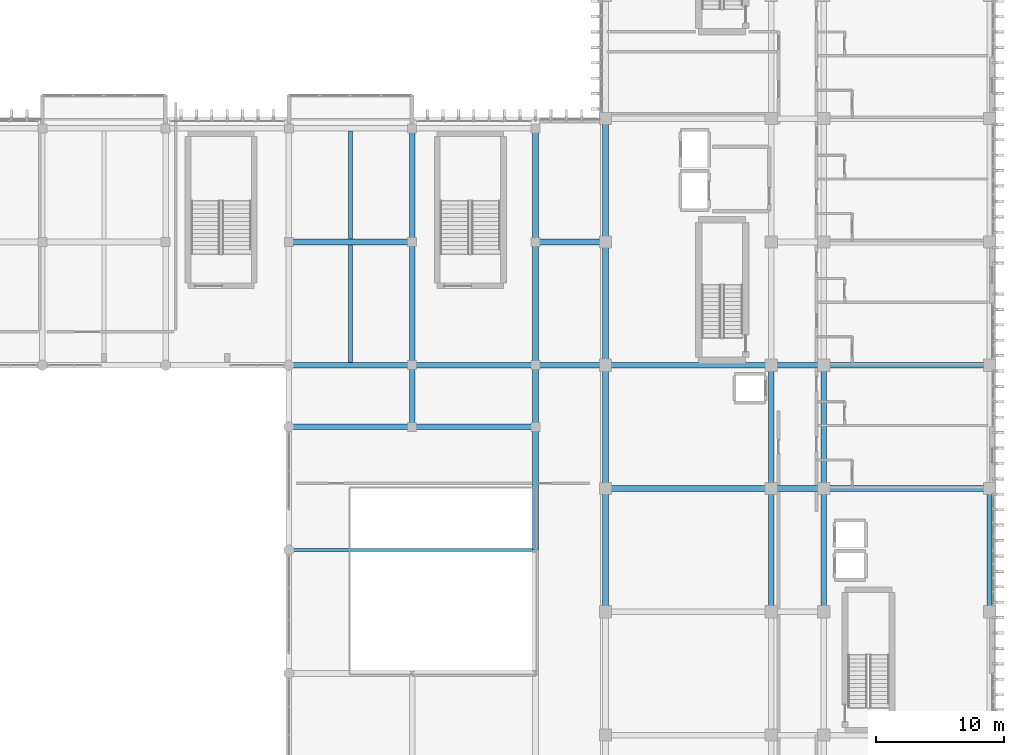
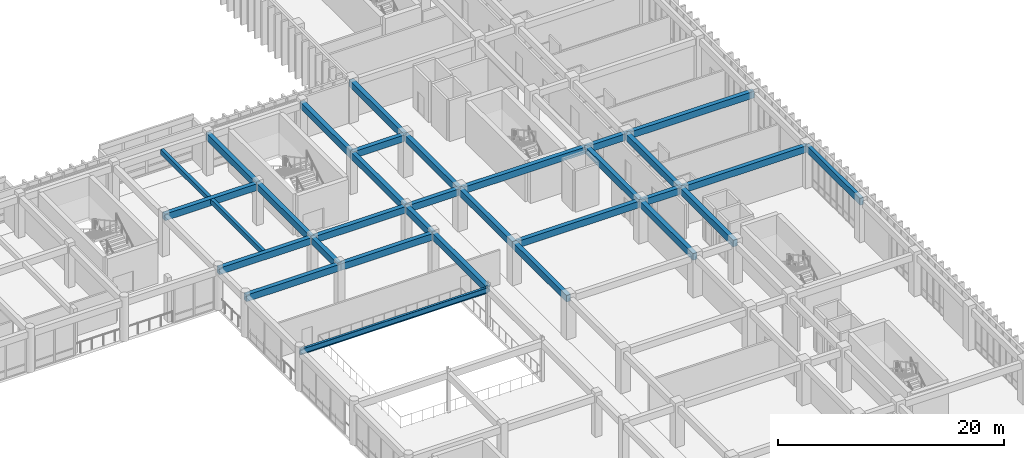
# One storey, part 67 of 133: 32 beams.
"""IFC4 building model written with IfcOpenShell, lengths in metres."""

from ifc_helpers import new_model, si_unit, direction, frame, origin, origin_2d, place, context, subcontext, project, spatial, rectangle, i_section, extrude, material, material_profile, profile_set, type_object, element, save


model = new_model("IFC4")

# Units and contexts
model_context = context("Model", 3, precision=1e-05, world=origin(), true_north=direction((0.0, 1.0)))
body_context = subcontext(model_context, "Body", "Model", "MODEL_VIEW")
ifc_project = project(units=[si_unit("LENGTHUNIT", "METRE"), si_unit("AREAUNIT", "SQUARE_METRE"), si_unit("VOLUMEUNIT", "CUBIC_METRE"), si_unit("PLANEANGLEUNIT", "RADIAN"), si_unit("MASSUNIT", "GRAM", prefix="KILO")], contexts=[model_context])

# Site, building, storey
site_placement = place(None, origin())
site = spatial("IfcSite", under=ifc_project, at=site_placement, CompositionType="ELEMENT")
building_placement = place(site_placement, origin())
building = spatial("IfcBuilding", under=site, at=building_placement, Name="Nakhvara Creek Congress Hotel", CompositionType="ELEMENT")
storey_placement = place(building_placement, frame((0.0, 0.0, 11.39990234375)))
storey = spatial("IfcBuildingStorey", under=building, at=storey_placement, Name="L02", CompositionType="ELEMENT", Elevation=11.39990234375)

# Beams
ifc_material_1 = material(Name="Concrete C40/50", Category="concrete")
ifc_material_profile_1 = material_profile(ifc_material_1, rectangle(XDim=0.320068359375, YDim=0.52001953125, at=origin_2d()), Name="RC-BM 320x520", Category="LoadBearing")
ifc_profile_set_1 = profile_set([ifc_material_profile_1], Name="Concrete C40/50")
beam_type_1 = type_object("IfcBeamType", Name="BM-RC-320X520", PredefinedType="JOIST", material=ifc_profile_set_1)
beam_1_placement = place(storey_placement, frame((129.60009765625, 77.02001953125, 4.16015625), z_axis=(0.0, 1.0, 0.0), x_axis=(-1.0, 0.0, 0.0)))
element("IfcBeam", 1, at=beam_1_placement, inside=storey, type_object=beam_type_1, Name="Secondary Joist BJ2-L02-1689", PredefinedType="JOIST", context=body_context, shape_type="SweptSolid", body=[
    extrude(rectangle(XDim=0.320068359375, YDim=0.52001953125, at=origin_2d()), origin(), (0.0, 0.0, 1.0), 9.159912109375),
])
beam_2_placement = place(storey_placement, frame((129.60009765625, 86.6201171875, 4.16015625), z_axis=(0.0, 1.0, 0.0), x_axis=(-1.0, 0.0, 0.0)))
element("IfcBeam", 2, at=beam_2_placement, inside=storey, type_object=beam_type_1, Name="Secondary Joist BJ2-L02-1690", PredefinedType="JOIST", context=body_context, shape_type="SweptSolid", body=[
    extrude(rectangle(XDim=0.320068359375, YDim=0.52001953125, at=origin_2d()), origin(), (0.0, 0.0, 1.0), 8.409912109375),
])
ifc_material_profile_2 = material_profile(ifc_material_1, rectangle(XDim=0.43994140625, YDim=0.719970703125, at=origin_2d()), Name="RC-BM 440x720", Category="LoadBearing")
ifc_profile_set_2 = profile_set([ifc_material_profile_2], Name="Concrete C40/50")
beam_type_2 = type_object("IfcBeamType", Name="BM-RC-440X720", PredefinedType="BEAM", material=ifc_profile_set_2)
for number, where, z_axis, x_axis, name in (
    (3, (124.800048828125, 72.0, 4.06005859375), (1.0, 0.0, 0.0), (0.0, 1.0, 0.0), "Beam B12-L02-1534"),
    (4, (124.800048828125, 76.800048828125, 4.06005859375), (1.0, 0.0, 0.0), (0.0, 1.0, 0.0), "Beam B12-L02-1536"),
    (5, (124.800048828125, 86.39990234375, 4.06005859375), (1.0, 0.0, 0.0), (0.0, 1.0, 0.0), "Beam B12-L02-1538"),
):
    element("IfcBeam", number, at=place(storey_placement, frame(where, z_axis=z_axis, x_axis=x_axis)), inside=storey, type_object=beam_type_2, Name=name, PredefinedType="BEAM", context=body_context, shape_type="SweptSolid", body=[
        extrude(rectangle(XDim=0.43994140625, YDim=0.719970703125, at=origin_2d()), origin(), (0.0, 0.0, 1.0), 9.599853515625),
    ])
beam_3_placement = place(storey_placement, frame((134.39990234375, 72.0, 4.06005859375), z_axis=(0.0, 1.0, 0.0), x_axis=(-1.0, 0.0, 0.0)))
element("IfcBeam", 6, at=beam_3_placement, inside=storey, type_object=beam_type_2, Name="Beam B12-L02-1550", PredefinedType="BEAM", context=body_context, shape_type="SweptSolid", body=[
    extrude(rectangle(XDim=0.43994140625, YDim=0.719970703125, at=origin_2d()), origin(), (0.0, 0.0, 1.0), 4.800048828125),
])
beam_4_placement = place(storey_placement, frame((134.39990234375, 72.0, 4.06005859375), z_axis=(1.0, 0.0, 0.0), x_axis=(0.0, 1.0, 0.0)))
element("IfcBeam", 7, at=beam_4_placement, inside=storey, type_object=beam_type_2, Name="Beam B12-L02-1551", PredefinedType="BEAM", context=body_context, shape_type="SweptSolid", body=[
    extrude(rectangle(XDim=0.43994140625, YDim=0.719970703125, at=origin_2d()), origin(), (0.0, 0.0, 1.0), 9.60009765625),
])
beam_5_placement = place(storey_placement, frame((134.39990234375, 76.800048828125, 4.06005859375), z_axis=(0.0, 1.0, 0.0), x_axis=(-1.0, 0.0, 0.0)))
element("IfcBeam", 8, at=beam_5_placement, inside=storey, type_object=beam_type_2, Name="Beam B12-L02-1552", PredefinedType="BEAM", context=body_context, shape_type="SweptSolid", body=[
    extrude(rectangle(XDim=0.43994140625, YDim=0.719970703125, at=origin_2d()), origin(), (0.0, 0.0, 1.0), 9.599853515625),
])
beam_6_placement = place(storey_placement, frame((134.39990234375, 76.800048828125, 4.06005859375), z_axis=(1.0, 0.0, 0.0), x_axis=(0.0, 1.0, 0.0)))
element("IfcBeam", 9, at=beam_6_placement, inside=storey, type_object=beam_type_2, Name="Beam B12-L02-1553", PredefinedType="BEAM", context=body_context, shape_type="SweptSolid", body=[
    extrude(rectangle(XDim=0.43994140625, YDim=0.719970703125, at=origin_2d()), origin(), (0.0, 0.0, 1.0), 9.60009765625),
])
beam_7_placement = place(storey_placement, frame((134.39990234375, 86.39990234375, 4.06005859375), z_axis=(0.0, 1.0, 0.0), x_axis=(-1.0, 0.0, 0.0)))
element("IfcBeam", 10, at=beam_7_placement, inside=storey, type_object=beam_type_2, Name="Beam B12-L02-1554", PredefinedType="BEAM", context=body_context, shape_type="SweptSolid", body=[
    extrude(rectangle(XDim=0.43994140625, YDim=0.719970703125, at=origin_2d()), origin(), (0.0, 0.0, 1.0), 8.85009765625),
])
beam_8_placement = place(storey_placement, frame((144.0, 62.39990234375, 4.06005859375), z_axis=(0.0, 1.0, 0.0), x_axis=(-1.0, 0.0, 0.0)))
element("IfcBeam", 11, at=beam_8_placement, inside=storey, type_object=beam_type_2, Name="Beam B12-L02-1568", PredefinedType="BEAM", context=body_context, shape_type="SweptSolid", body=[
    extrude(rectangle(XDim=0.43994140625, YDim=0.719970703125, at=origin_2d()), origin(), (0.0, 0.0, 1.0), 9.60009765625),
])
beam_9_placement = place(storey_placement, frame((144.0, 72.0, 4.06005859375), z_axis=(0.0, 1.0, 0.0), x_axis=(-1.0, 0.0, 0.0)))
element("IfcBeam", 12, at=beam_9_placement, inside=storey, type_object=beam_type_2, Name="Beam B12-L02-1569", PredefinedType="BEAM", context=body_context, shape_type="SweptSolid", body=[
    extrude(rectangle(XDim=0.43994140625, YDim=0.719970703125, at=origin_2d()), origin(), (0.0, 0.0, 1.0), 4.800048828125),
])
beam_10_placement = place(storey_placement, frame((144.0, 76.800048828125, 4.06005859375), z_axis=(0.0, 1.0, 0.0), x_axis=(-1.0, 0.0, 0.0)))
element("IfcBeam", 13, at=beam_10_placement, inside=storey, type_object=beam_type_2, Name="Beam B12-L02-1570", PredefinedType="BEAM", context=body_context, shape_type="SweptSolid", body=[
    extrude(rectangle(XDim=0.43994140625, YDim=0.719970703125, at=origin_2d()), origin(), (0.0, 0.0, 1.0), 9.599853515625),
])
beam_11_placement = place(storey_placement, frame((144.0, 76.800048828125, 4.06005859375), z_axis=(1.0, 0.0, 0.0), x_axis=(0.0, 1.0, 0.0)))
element("IfcBeam", 14, at=beam_11_placement, inside=storey, type_object=beam_type_2, Name="Beam B12-L02-1571", PredefinedType="BEAM", context=body_context, shape_type="SweptSolid", body=[
    extrude(rectangle(XDim=0.43994140625, YDim=0.719970703125, at=origin_2d()), origin(), (0.0, 0.0, 1.0), 5.449951171875),
])
beam_12_placement = place(storey_placement, frame((144.0, 86.39990234375, 4.06005859375), z_axis=(0.0, 1.0, 0.0), x_axis=(-1.0, 0.0, 0.0)))
element("IfcBeam", 15, at=beam_12_placement, inside=storey, type_object=beam_type_2, Name="Beam B12-L02-1572", PredefinedType="BEAM", context=body_context, shape_type="SweptSolid", body=[
    extrude(rectangle(XDim=0.43994140625, YDim=0.719970703125, at=origin_2d()), origin(), (0.0, 0.0, 1.0), 8.85009765625),
])
beam_13_placement = place(storey_placement, frame((144.0, 86.39990234375, 4.06005859375), z_axis=(1.0, 0.0, 0.0), x_axis=(0.0, 1.0, 0.0)))
element("IfcBeam", 16, at=beam_13_placement, inside=storey, type_object=beam_type_2, Name="Beam B12-L02-1573", PredefinedType="BEAM", context=body_context, shape_type="SweptSolid", body=[
    extrude(rectangle(XDim=0.43994140625, YDim=0.719970703125, at=origin_2d()), origin(), (0.0, 0.0, 1.0), 5.449951171875),
])
beam_14_placement = place(storey_placement, frame((149.449951171875, 57.60009765625, 4.06005859375), z_axis=(0.0, 1.0, 0.0), x_axis=(-1.0, 0.0, 0.0)))
element("IfcBeam", 17, at=beam_14_placement, inside=storey, type_object=beam_type_2, Name="Beam B12-L02-1586", PredefinedType="BEAM", context=body_context, shape_type="SweptSolid", body=[
    extrude(rectangle(XDim=0.43994140625, YDim=0.719970703125, at=origin_2d()), origin(), (0.0, 0.0, 1.0), 9.599853515625),
])
beam_15_placement = place(storey_placement, frame((149.449951171875, 67.199951171875, 4.06005859375), z_axis=(0.0, 1.0, 0.0), x_axis=(-1.0, 0.0, 0.0)))
element("IfcBeam", 18, at=beam_15_placement, inside=storey, type_object=beam_type_2, Name="Beam B12-L02-1588", PredefinedType="BEAM", context=body_context, shape_type="SweptSolid", body=[
    extrude(rectangle(XDim=0.43994140625, YDim=0.719970703125, at=origin_2d()), origin(), (0.0, 0.0, 1.0), 9.60009765625),
])
beam_16_placement = place(storey_placement, frame((149.449951171875, 67.199951171875, 4.06005859375), z_axis=(1.0, 0.0, 0.0), x_axis=(0.0, 1.0, 0.0)))
element("IfcBeam", 19, at=beam_16_placement, inside=storey, type_object=beam_type_2, Name="Beam B12-L02-1589", PredefinedType="BEAM", context=body_context, shape_type="SweptSolid", body=[
    extrude(rectangle(XDim=0.43994140625, YDim=0.719970703125, at=origin_2d()), origin(), (0.0, 0.0, 1.0), 12.900146484375),
])
beam_17_placement = place(storey_placement, frame((149.449951171875, 76.800048828125, 4.06005859375), z_axis=(0.0, 1.0, 0.0), x_axis=(-1.0, 0.0, 0.0)))
element("IfcBeam", 20, at=beam_17_placement, inside=storey, type_object=beam_type_2, Name="Beam B12-L02-1590", PredefinedType="BEAM", context=body_context, shape_type="SweptSolid", body=[
    extrude(rectangle(XDim=0.43994140625, YDim=0.719970703125, at=origin_2d()), origin(), (0.0, 0.0, 1.0), 9.599853515625),
])
beam_18_placement = place(storey_placement, frame((149.449951171875, 76.800048828125, 4.06005859375), z_axis=(1.0, 0.0, 0.0), x_axis=(0.0, 1.0, 0.0)))
element("IfcBeam", 21, at=beam_18_placement, inside=storey, type_object=beam_type_2, Name="Beam B12-L02-1591", PredefinedType="BEAM", context=body_context, shape_type="SweptSolid", body=[
    extrude(rectangle(XDim=0.43994140625, YDim=0.719970703125, at=origin_2d()), origin(), (0.0, 0.0, 1.0), 12.900146484375),
])
beam_19_placement = place(storey_placement, frame((149.449951171875, 86.39990234375, 4.06005859375), z_axis=(0.0, 1.0, 0.0), x_axis=(-1.0, 0.0, 0.0)))
element("IfcBeam", 22, at=beam_19_placement, inside=storey, type_object=beam_type_2, Name="Beam B12-L02-1592", PredefinedType="BEAM", context=body_context, shape_type="SweptSolid", body=[
    extrude(rectangle(XDim=0.43994140625, YDim=0.719970703125, at=origin_2d()), origin(), (0.0, 0.0, 1.0), 9.60009765625),
])
beam_20_placement = place(storey_placement, frame((162.35009765625, 57.60009765625, 4.06005859375), z_axis=(0.0, 1.0, 0.0), x_axis=(-1.0, 0.0, 0.0)))
element("IfcBeam", 23, at=beam_20_placement, inside=storey, type_object=beam_type_2, Name="Beam B12-L02-1611", PredefinedType="BEAM", context=body_context, shape_type="SweptSolid", body=[
    extrude(rectangle(XDim=0.43994140625, YDim=0.719970703125, at=origin_2d()), origin(), (0.0, 0.0, 1.0), 9.599853515625),
])
beam_21_placement = place(storey_placement, frame((162.35009765625, 67.199951171875, 4.06005859375), z_axis=(0.0, 1.0, 0.0), x_axis=(-1.0, 0.0, 0.0)))
element("IfcBeam", 24, at=beam_21_placement, inside=storey, type_object=beam_type_2, Name="Beam B12-L02-1613", PredefinedType="BEAM", context=body_context, shape_type="SweptSolid", body=[
    extrude(rectangle(XDim=0.43994140625, YDim=0.719970703125, at=origin_2d()), origin(), (0.0, 0.0, 1.0), 9.60009765625),
])
for number, where, z_axis, x_axis, name in (
    (25, (162.35009765625, 67.199951171875, 4.06005859375), (1.0, 0.0, 0.0), (0.0, 1.0, 0.0), "Beam B12-L02-1614"),
    (26, (162.35009765625, 76.800048828125, 4.06005859375), (1.0, 0.0, 0.0), (0.0, 1.0, 0.0), "Beam B12-L02-1616"),
):
    element("IfcBeam", number, at=place(storey_placement, frame(where, z_axis=z_axis, x_axis=x_axis)), inside=storey, type_object=beam_type_2, Name=name, PredefinedType="BEAM", context=body_context, shape_type="SweptSolid", body=[
        extrude(rectangle(XDim=0.43994140625, YDim=0.719970703125, at=origin_2d()), origin(), (0.0, 0.0, 1.0), 4.099853515625),
    ])
beam_22_placement = place(storey_placement, frame((166.449951171875, 57.60009765625, 4.06005859375), z_axis=(0.0, 1.0, 0.0), x_axis=(-1.0, 0.0, 0.0)))
element("IfcBeam", 27, at=beam_22_placement, inside=storey, type_object=beam_type_2, Name="Beam B12-L02-1637", PredefinedType="BEAM", context=body_context, shape_type="SweptSolid", body=[
    extrude(rectangle(XDim=0.43994140625, YDim=0.719970703125, at=origin_2d()), origin(), (0.0, 0.0, 1.0), 9.599853515625),
])
beam_23_placement = place(storey_placement, frame((166.449951171875, 67.199951171875, 4.06005859375), z_axis=(0.0, 1.0, 0.0), x_axis=(-1.0, 0.0, 0.0)))
element("IfcBeam", 28, at=beam_23_placement, inside=storey, type_object=beam_type_2, Name="Beam B12-L02-1638", PredefinedType="BEAM", context=body_context, shape_type="SweptSolid", body=[
    extrude(rectangle(XDim=0.43994140625, YDim=0.719970703125, at=origin_2d()), origin(), (0.0, 0.0, 1.0), 9.60009765625),
])
for number, where, z_axis, x_axis, name in (
    (29, (166.449951171875, 67.199951171875, 4.06005859375), (1.0, 0.0, 0.0), (0.0, 1.0, 0.0), "Beam B12-L02-1639"),
    (30, (166.449951171875, 76.800048828125, 4.06005859375), (1.0, 0.0, 0.0), (0.0, 1.0, 0.0), "Beam B12-L02-1641"),
):
    element("IfcBeam", number, at=place(storey_placement, frame(where, z_axis=z_axis, x_axis=x_axis)), inside=storey, type_object=beam_type_2, Name=name, PredefinedType="BEAM", context=body_context, shape_type="SweptSolid", body=[
        extrude(rectangle(XDim=0.43994140625, YDim=0.719970703125, at=origin_2d()), origin(), (0.0, 0.0, 1.0), 12.900146484375),
    ])
ifc_material_profile_3 = material_profile(ifc_material_1, rectangle(XDim=0.35009765625, YDim=0.75, at=origin_2d()), Name="RC-SPANDREL 350x750", Category="LoadBearing")
ifc_profile_set_3 = profile_set([ifc_material_profile_3], Name="Concrete C40/50")
beam_type_3 = type_object("IfcBeamType", Name="BM-SPN-350X750", PredefinedType="SPANDREL", material=ifc_profile_set_3)
beam_24_placement = place(storey_placement, frame((179.35009765625, 57.60009765625, 4.045166015625), z_axis=(0.0, 1.0, 0.0), x_axis=(-1.0, 0.0, 0.0)))
element("IfcBeam", 31, at=beam_24_placement, inside=storey, type_object=beam_type_3, Name="Beam SP1-L02-1657", PredefinedType="SPANDREL", context=body_context, shape_type="SweptSolid", body=[
    extrude(rectangle(XDim=0.35009765625, YDim=0.75, at=origin_2d()), origin(), (0.0, 0.0, 1.0), 9.599853515625),
])
ifc_material_2 = material(Name="Steel S355J2", Category="steel")
ifc_material_profile_4 = material_profile(ifc_material_2, i_section(OverallWidth=0.228271484375, OverallDepth=0.607666015625, WebThickness=0.010986328125, FlangeThickness=0.017333984375, FilletRadius=0.0126953125, at=origin_2d()), Name="UB 610x229x113", Category="LoadBearing")
ifc_profile_set_4 = profile_set([ifc_material_profile_4], Name="Steel S355J2")
beam_type_4 = type_object("IfcBeamType", Name="BM-ST-UB610", PredefinedType="BEAM", material=ifc_profile_set_4)
beam_25_placement = place(storey_placement, frame((124.800048828125, 62.39990234375, 4.0), z_axis=(1.0, 0.0, 0.0), x_axis=(0.0, 1.0, 0.0)))
element("IfcBeam", 32, at=beam_25_placement, inside=storey, type_object=beam_type_4, Name="Congress Steel Girder 02", PredefinedType="BEAM", context=body_context, shape_type="SweptSolid", body=[
    extrude(i_section(OverallWidth=0.228271484375, OverallDepth=0.607666015625, WebThickness=0.010986328125, FlangeThickness=0.017333984375, FilletRadius=0.0126953125, at=origin_2d()), origin(), (0.0, 0.0, 1.0), 19.199951171875),
])

save(model, "model.ifc")
